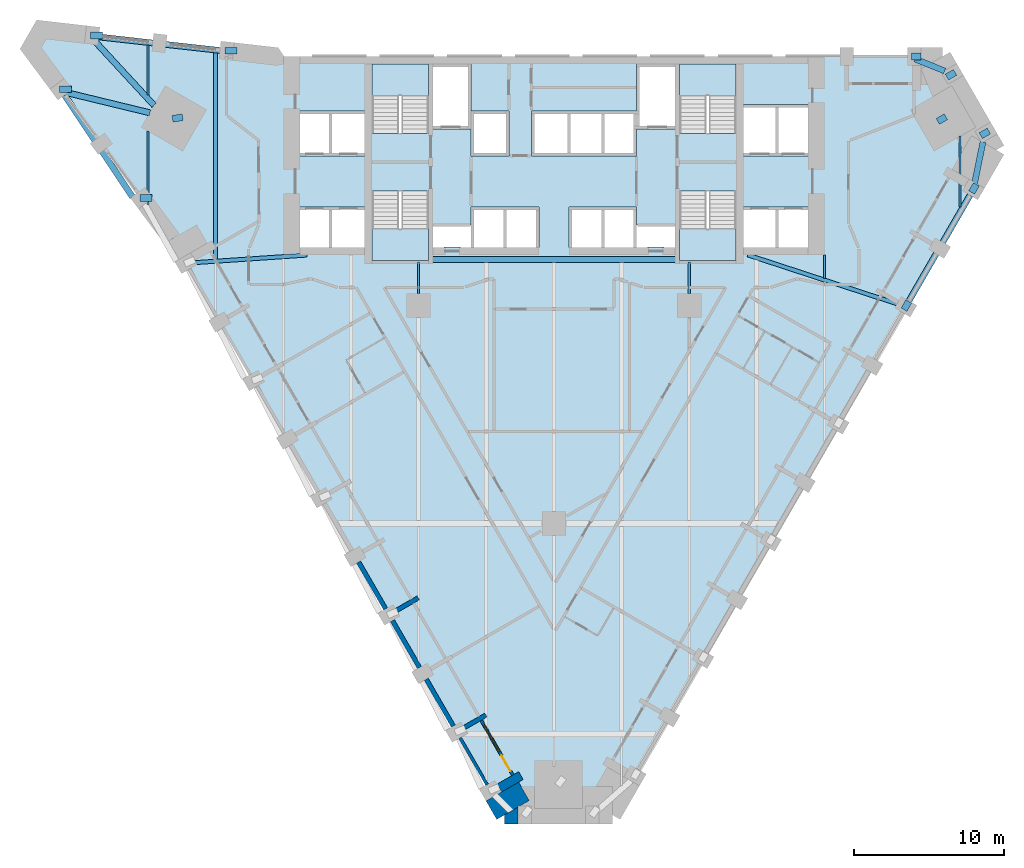
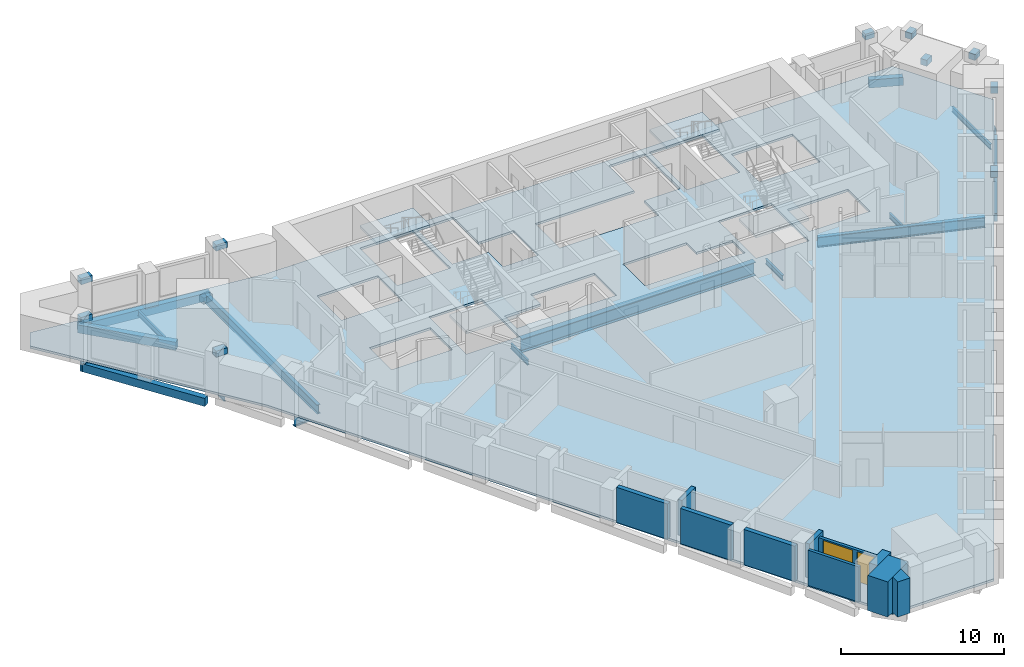
# One storey, part 2 of 10: 28 beams, 10 walls, 5 slabs, 1 door, 1 window, 2 openings, 4 elements without a shape of their own.
"""IFC4 building model written with IfcOpenShell, lengths in metres."""

from ifc_helpers import new_model, si_unit, direction, frame, frame_2d, origin, origin_2d, place, context, subcontext, project, spatial, polyline, rectangle, i_section, outline, extrude, material, layer, layer_set, material_profile, profile_set, type_object, element, fill, aggregate, save


model = new_model("IFC4")

# Units and contexts
model_context = context("Model", 3, precision=1e-05, world=origin(), true_north=direction((0.0, 1.0)))
body_context = subcontext(model_context, "Body", "Model", "MODEL_VIEW")
ifc_project = project(units=[si_unit("LENGTHUNIT", "METRE"), si_unit("AREAUNIT", "SQUARE_METRE"), si_unit("VOLUMEUNIT", "CUBIC_METRE"), si_unit("PLANEANGLEUNIT", "RADIAN"), si_unit("MASSUNIT", "GRAM", prefix="KILO")], contexts=[model_context])

# Site, building, storey
site_placement = place(None, origin())
site = spatial("IfcSite", under=ifc_project, at=site_placement, CompositionType="ELEMENT")
building_placement = place(site_placement, origin())
building = spatial("IfcBuilding", under=site, at=building_placement, Name="Calabash Gate Tower", CompositionType="ELEMENT")
storey_placement = place(building_placement, frame((0.0, 0.0, 63.0)))
storey = spatial("IfcBuildingStorey", under=building, at=storey_placement, Name="L11", CompositionType="ELEMENT", Elevation=63.0)

# Beams
ifc_material_1 = material(Name="Concrete C80/95", Category="concrete")
ifc_material_profile_1 = material_profile(ifc_material_1, rectangle(XDim=0.449951171875, YDim=0.449951171875, at=origin_2d()))
ifc_profile_set_1 = profile_set([ifc_material_profile_1], Name="Concrete C80/95")
beam_type_1 = type_object("IfcBeamType", Name="Column offset link RC 450x450 Concrete C80/95", PredefinedType="BEAM", material=ifc_profile_set_1)
beam_1_placement = place(storey_placement, frame((25.529052734375, 14.739013671875, 3.00390625), z_axis=(0.865797853931, 0.500393920955, 0.0), x_axis=(-0.500393920955, 0.865797853931, 0.0)))
element("IfcBeam", 1, at=beam_1_placement, inside=storey, type_object=beam_type_1, Name="Column offset link L11 NE", PredefinedType="BEAM", context=body_context, shape_type="SweptSolid", body=[
    extrude(rectangle(XDim=0.449951171875, YDim=0.449951171875, at=origin_2d()), origin(), (0.0, 0.0, 1.0), 0.62939453125),
])
beam_2_placement = place(storey_placement, frame((-25.37109375, 14.9208984375, 3.00390625), z_axis=(0.989798585067, 0.142473720382, 0.0), x_axis=(-0.142473720382, 0.989798585067, 0.0)))
element("IfcBeam", 2, at=beam_2_placement, inside=storey, type_object=beam_type_1, Name="Column offset link L11 NW", PredefinedType="BEAM", context=body_context, shape_type="SweptSolid", body=[
    extrude(rectangle(XDim=0.449951171875, YDim=0.449951171875, at=origin_2d()), origin(), (0.0, 0.0, 1.0), 0.681884765625),
])
beam_3_placement = place(storey_placement, frame((23.282958984375, 2.222900390625, 3.00390625), z_axis=(0.500225913189, 0.86589493345, 0.0), x_axis=(-0.86589493345, 0.500225913189, 0.0)))
element("IfcBeam", 3, at=beam_3_placement, inside=storey, type_object=beam_type_1, Name="Column offset link L11 P12", PredefinedType="BEAM", context=body_context, shape_type="SweptSolid", body=[
    extrude(rectangle(XDim=0.449951171875, YDim=0.449951171875, at=origin_2d()), origin(), (0.0, 0.0, 1.0), 0.629638671875),
])
beam_4_placement = place(storey_placement, frame((27.782958984375, 10.01708984375, 3.00390625), z_axis=(0.49972245349, 0.866185586049, 0.0), x_axis=(-0.866185586049, 0.49972245349, 0.0)))
element("IfcBeam", 4, at=beam_4_placement, inside=storey, type_object=beam_type_1, Name="Column offset link L11 P13", PredefinedType="BEAM", context=body_context, shape_type="SweptSolid", body=[
    extrude(rectangle(XDim=0.449951171875, YDim=0.449951171875, at=origin_2d()), origin(), (0.0, 0.0, 1.0), 0.630126953125),
])
for number, where, z_axis, x_axis, name in (
    (5, (28.387939453125, 13.7919921875, 3.00390625), (0.86589493345, 0.500225913189, 0.0), (-0.500225913189, 0.86589493345, 0.0), "Column offset link L11 P14"),
    (6, (26.137939453125, 17.68896484375, 3.00390625), (0.86589493345, 0.500225913189, 0.0), (-0.500225913189, 0.86589493345, 0.0), "Column offset link L11 P15"),
):
    element("IfcBeam", number, at=place(storey_placement, frame(where, z_axis=z_axis, x_axis=x_axis)), inside=storey, type_object=beam_type_1, Name=name, PredefinedType="BEAM", context=body_context, shape_type="SweptSolid", body=[
        extrude(rectangle(XDim=0.449951171875, YDim=0.449951171875, at=origin_2d()), origin(), (0.0, 0.0, 1.0), 0.629638671875),
    ])
beam_5_placement = place(storey_placement, frame((23.798095703125, 19.052978515625, 3.00390625), z_axis=(1.0, 0.0, 0.0), x_axis=(0.0, 1.0, 0.0)))
element("IfcBeam", 7, at=beam_5_placement, inside=storey, type_object=beam_type_1, Name="Column offset link L11 P16", PredefinedType="BEAM", context=body_context, shape_type="SweptSolid", body=[
    extrude(rectangle(XDim=0.449951171875, YDim=0.449951171875, at=origin_2d()), origin(), (0.0, 0.0, 1.0), 0.6298828125),
])
beam_6_placement = place(storey_placement, frame((-21.8701171875, 19.43798828125, 3.00390625), z_axis=(1.0, 0.0, 0.0), x_axis=(0.0, 1.0, 0.0)))
element("IfcBeam", 8, at=beam_6_placement, inside=storey, type_object=beam_type_1, Name="Column offset link L11 P17", PredefinedType="BEAM", context=body_context, shape_type="SweptSolid", body=[
    extrude(rectangle(XDim=0.449951171875, YDim=0.449951171875, at=origin_2d()), origin(), (0.0, 0.0, 1.0), 0.796142578125),
])
beam_7_placement = place(storey_placement, frame((-30.81201171875, 20.4619140625, 3.00390625), z_axis=(1.0, 0.0, 0.0), x_axis=(0.0, 1.0, 0.0)))
element("IfcBeam", 9, at=beam_7_placement, inside=storey, type_object=beam_type_1, Name="Column offset link L11 P18", PredefinedType="BEAM", context=body_context, shape_type="SweptSolid", body=[
    extrude(rectangle(XDim=0.449951171875, YDim=0.449951171875, at=origin_2d()), origin(), (0.0, 0.0, 1.0), 0.799072265625),
])
beam_8_placement = place(storey_placement, frame((-32.8779296875, 16.883056640625, 3.00390625), z_axis=(1.0, 0.0, 0.0), x_axis=(0.0, 1.0, 0.0)))
element("IfcBeam", 10, at=beam_8_placement, inside=storey, type_object=beam_type_1, Name="Column offset link L11 P19", PredefinedType="BEAM", context=body_context, shape_type="SweptSolid", body=[
    extrude(rectangle(XDim=0.449951171875, YDim=0.449951171875, at=origin_2d()), origin(), (0.0, 0.0, 1.0), 0.7958984375),
])
beam_9_placement = place(storey_placement, frame((-27.52099609375, 9.65087890625, 3.00390625), z_axis=(1.0, 0.0, 0.0), x_axis=(0.0, 1.0, 0.0)))
element("IfcBeam", 11, at=beam_9_placement, inside=storey, type_object=beam_type_1, Name="Column offset link L11 P20", PredefinedType="BEAM", context=body_context, shape_type="SweptSolid", body=[
    extrude(rectangle(XDim=0.449951171875, YDim=0.449951171875, at=origin_2d()), origin(), (0.0, 0.0, 1.0), 0.796875),
])
ifc_material_2 = material(Name="Concrete C60/75", Category="concrete")
ifc_material_profile_2 = material_profile(ifc_material_2, rectangle(XDim=0.39990234375, YDim=0.60009765625, at=origin_2d()))
ifc_profile_set_2 = profile_set([ifc_material_profile_2], Name="Concrete C60/75")
beam_type_2 = type_object("IfcBeamType", Name="Edge beam RC 400x600 Concrete C60/75", PredefinedType="BEAM", material=ifc_profile_set_2)
beam_10_placement = place(storey_placement, frame((23.468017578125, 2.54296875, -0.469970703125), z_axis=(0.499990825162, 0.866030700815, 0.0), x_axis=(-0.866030700815, 0.499990825162, 0.0)))
element("IfcBeam", 12, at=beam_10_placement, inside=storey, type_object=beam_type_2, Name="Edge beam L11 11", PredefinedType="BEAM", context=body_context, shape_type="SweptSolid", body=[
    extrude(rectangle(XDim=0.39990234375, YDim=0.60009765625, at=origin_2d()), origin(), (0.0, 0.0, 1.0), 8.426025390625),
])
beam_11_placement = place(storey_placement, frame((27.923095703125, 10.360107421875, -0.469970703125), z_axis=(0.199986412569, 0.979798670538, 0.0), x_axis=(-0.979798670538, 0.199986412569, 0.0)))
element("IfcBeam", 13, at=beam_11_placement, inside=storey, type_object=beam_type_2, Name="Edge beam L11 12", PredefinedType="BEAM", context=body_context, shape_type="SweptSolid", body=[
    extrude(rectangle(XDim=0.39990234375, YDim=0.60009765625, at=origin_2d()), origin(), (0.0, 0.0, 1.0), 3.080078125),
])
beam_12_placement = place(storey_placement, frame((25.992919921875, 18.095947265625, -0.469970703125), z_axis=(-0.927506403422, 0.373807265327, 0.0), x_axis=(-0.373807265327, -0.927506403422, 0.0)))
element("IfcBeam", 14, at=beam_12_placement, inside=storey, type_object=beam_type_2, Name="Edge beam L11 13", PredefinedType="BEAM", context=body_context, shape_type="SweptSolid", body=[
    extrude(rectangle(XDim=0.39990234375, YDim=0.60009765625, at=origin_2d()), origin(), (0.0, 0.0, 1.0), 2.1240234375),
])
beam_13_placement = place(storey_placement, frame((-22.200927734375, 19.466064453125, -0.469970703125), z_axis=(-0.993834530579, 0.11087346765, 0.0), x_axis=(-0.11087346765, -0.993834530579, 0.0)))
element("IfcBeam", 15, at=beam_13_placement, inside=storey, type_object=beam_type_2, Name="Edge beam L11 14", PredefinedType="BEAM", context=body_context, shape_type="SweptSolid", body=[
    extrude(rectangle(XDim=0.39990234375, YDim=0.60009765625, at=origin_2d()), origin(), (0.0, 0.0, 1.0), 8.730712890625),
])
beam_14_placement = place(storey_placement, frame((-30.8798828125, 20.449951171875, -0.469970703125), z_axis=(0.678509783503, -0.734591365107, 0.0), x_axis=(0.734591365107, 0.678509783503, 0.0)))
element("IfcBeam", 16, at=beam_14_placement, inside=storey, type_object=beam_type_2, Name="Edge beam L11 15", PredefinedType="BEAM", context=body_context, shape_type="SweptSolid", body=[
    extrude(rectangle(XDim=0.39990234375, YDim=0.60009765625, at=origin_2d()), origin(), (0.0, 0.0, 1.0), 6.312255859375),
])
beam_15_placement = place(storey_placement, frame((-26.87109375, 15.31396484375, -0.469970703125), z_axis=(-0.971786115096, 0.235863830432, 0.0), x_axis=(-0.235863830432, -0.971786115096, 0.0)))
element("IfcBeam", 17, at=beam_15_placement, inside=storey, type_object=beam_type_2, Name="Edge beam L11 16", PredefinedType="BEAM", context=body_context, shape_type="SweptSolid", body=[
    extrude(rectangle(XDim=0.39990234375, YDim=0.60009765625, at=origin_2d()), origin(), (0.0, 0.0, 1.0), 6.118408203125),
])
beam_16_placement = place(storey_placement, frame((-32.760009765625, 16.81103515625, -0.469970703125), z_axis=(0.554594365742, -0.832120838273, 0.0), x_axis=(0.832120838273, 0.554594365742, 0.0)))
element("IfcBeam", 18, at=beam_16_placement, inside=storey, type_object=beam_type_2, Name="Edge beam L11 17", PredefinedType="BEAM", context=body_context, shape_type="SweptSolid", body=[
    extrude(rectangle(XDim=0.39990234375, YDim=0.60009765625, at=origin_2d()), origin(), (0.0, 0.0, 1.0), 8.51806640625),
])
ifc_material_3 = material(Name="Steel ASTM A992 Gr50", Category="steel")
ifc_material_profile_3 = material_profile(ifc_material_3, i_section(OverallWidth=0.1396484375, OverallDepth=0.398681640625, WebThickness=0.00634765625, FlangeThickness=0.0087890625, FilletRadius=0.01025390625, at=origin_2d()))
ifc_profile_set_3 = profile_set([ifc_material_profile_3], Name="Steel ASTM A992 Gr50")
beam_type_3 = type_object("IfcBeamType", Name="Floor beam W16x26 ASTM A992 Gr50", PredefinedType="BEAM", material=ifc_profile_set_3)
beam_17_placement = place(storey_placement, frame((-27.0, 9.22900390625, -0.368896484375), z_axis=(0.0, 1.0, 0.0), x_axis=(-1.0, 0.0, 0.0)))
element("IfcBeam", 19, at=beam_17_placement, inside=storey, type_object=beam_type_3, Name="Floor beam L11 1", PredefinedType="BEAM", context=body_context, shape_type="SweptSolid", body=[
    extrude(i_section(OverallWidth=0.1396484375, OverallDepth=0.398681640625, WebThickness=0.00634765625, FlangeThickness=0.0087890625, FilletRadius=0.01025390625, at=origin_2d()), origin(), (0.0, 0.0, 1.0), 4.884033203125),
])
beam_18_placement = place(storey_placement, frame((-27.0, 16.511962890625, -0.368896484375), z_axis=(0.0, 1.0, 0.0), x_axis=(-1.0, 0.0, 0.0)))
element("IfcBeam", 20, at=beam_18_placement, inside=storey, type_object=beam_type_3, Name="Floor beam L11 2", PredefinedType="BEAM", context=body_context, shape_type="SweptSolid", body=[
    extrude(i_section(OverallWidth=0.1396484375, OverallDepth=0.398681640625, WebThickness=0.00634765625, FlangeThickness=0.0087890625, FilletRadius=0.01025390625, at=origin_2d()), origin(), (0.0, 0.0, 1.0), 3.31396484375),
])
for number, where, z_axis, x_axis, name in (
    (21, (-9.0, 3.300048828125, -0.368896484375), (0.0, 1.0, 0.0), (-1.0, 0.0, 0.0), "Floor beam L11 9"),
    (22, (9.0, 3.300048828125, -0.368896484375), (0.0, 1.0, 0.0), (-1.0, 0.0, 0.0), "Floor beam L11 21"),
):
    element("IfcBeam", number, at=place(storey_placement, frame(where, z_axis=z_axis, x_axis=x_axis)), inside=storey, type_object=beam_type_3, Name=name, PredefinedType="BEAM", context=body_context, shape_type="SweptSolid", body=[
        extrude(i_section(OverallWidth=0.1396484375, OverallDepth=0.398681640625, WebThickness=0.00634765625, FlangeThickness=0.0087890625, FilletRadius=0.01025390625, at=origin_2d()), origin(), (0.0, 0.0, 1.0), 2.10302734375),
    ])
beam_19_placement = place(storey_placement, frame((18.0, 4.30810546875, -0.368896484375), z_axis=(0.0, 1.0, 0.0), x_axis=(-1.0, 0.0, 0.0)))
element("IfcBeam", 23, at=beam_19_placement, inside=storey, type_object=beam_type_3, Name="Floor beam L11 25", PredefinedType="BEAM", context=body_context, shape_type="SweptSolid", body=[
    extrude(i_section(OverallWidth=0.1396484375, OverallDepth=0.398681640625, WebThickness=0.00634765625, FlangeThickness=0.0087890625, FilletRadius=0.01025390625, at=origin_2d()), origin(), (0.0, 0.0, 1.0), 1.544921875),
])
beam_20_placement = place(storey_placement, frame((27.0, 9.048095703125, -0.368896484375), z_axis=(0.0, 1.0, 0.0), x_axis=(-1.0, 0.0, 0.0)))
element("IfcBeam", 24, at=beam_20_placement, inside=storey, type_object=beam_type_3, Name="Floor beam L11 26", PredefinedType="BEAM", context=body_context, shape_type="SweptSolid", body=[
    extrude(i_section(OverallWidth=0.1396484375, OverallDepth=0.398681640625, WebThickness=0.00634765625, FlangeThickness=0.0087890625, FilletRadius=0.01025390625, at=origin_2d()), origin(), (0.0, 0.0, 1.0), 4.724853515625),
])
ifc_material_4 = material(Name="Steel ASTM A992 Gr50", Category="steel")
ifc_material_profile_4 = material_profile(ifc_material_4, i_section(OverallWidth=0.25390625, OverallDepth=0.67822265625, WebThickness=0.01171875, FlangeThickness=0.016357421875, FilletRadius=0.01513671875, at=origin_2d()))
ifc_profile_set_4 = profile_set([ifc_material_profile_4], Name="Steel ASTM A992 Gr50")
beam_type_4 = type_object("IfcBeamType", Name="Floor beam W27x84 ASTM A992 Gr50", PredefinedType="BEAM", material=ifc_profile_set_4)
beam_21_placement = place(storey_placement, frame((-22.5, 5.555908203125, -0.509033203125), z_axis=(0.0, 1.0, 0.0), x_axis=(-1.0, 0.0, 0.0)))
element("IfcBeam", 25, at=beam_21_placement, inside=storey, type_object=beam_type_4, Name="Floor beam L11 4", PredefinedType="BEAM", context=body_context, shape_type="SweptSolid", body=[
    extrude(i_section(OverallWidth=0.25390625, OverallDepth=0.67822265625, WebThickness=0.01171875, FlangeThickness=0.016357421875, FilletRadius=0.01513671875, at=origin_2d()), origin(), (0.0, 0.0, 1.0), 13.755126953125),
])
ifc_material_5 = material(Name="Steel ASTM A992 Gr50", Category="steel")
ifc_material_profile_5 = material_profile(ifc_material_5, i_section(OverallWidth=0.2666015625, OverallDepth=0.77978515625, WebThickness=0.0166015625, FlangeThickness=0.030029296875, FilletRadius=0.0166015625, at=origin_2d()))
ifc_profile_set_5 = profile_set([ifc_material_profile_5], Name="Steel ASTM A992 Gr50")
beam_type_5 = type_object("IfcBeamType", Name="Girder W30x148 ASTM A992 Gr50", PredefinedType="BEAM", material=ifc_profile_set_5)
beam_22_placement = place(storey_placement, frame((-24.39404296875, 5.31591796875, -0.56005859375), z_axis=(0.99772868043, 0.06736082131, 0.0), x_axis=(-0.06736082131, 0.99772868043, 0.0)))
element("IfcBeam", 26, at=beam_22_placement, inside=storey, type_object=beam_type_5, Name="Girder L11 2", PredefinedType="BEAM", context=body_context, shape_type="SweptSolid", body=[
    extrude(i_section(OverallWidth=0.2666015625, OverallDepth=0.77978515625, WebThickness=0.0166015625, FlangeThickness=0.030029296875, FilletRadius=0.0166015625, at=origin_2d()), origin(), (0.0, 0.0, 1.0), 7.988037109375),
])
beam_23_placement = place(storey_placement, frame((22.846923828125, 2.60400390625, -0.56005859375), z_axis=(-0.950413781129, 0.310988174436, 0.0), x_axis=(-0.310988174436, -0.950413781129, 0.0)))
element("IfcBeam", 27, at=beam_23_placement, inside=storey, type_object=beam_type_5, Name="Girder L11 3", PredefinedType="BEAM", context=body_context, shape_type="SweptSolid", body=[
    extrude(i_section(OverallWidth=0.2666015625, OverallDepth=0.77978515625, WebThickness=0.0166015625, FlangeThickness=0.030029296875, FilletRadius=0.0166015625, at=origin_2d()), origin(), (0.0, 0.0, 1.0), 10.4794921875),
])
ifc_material_6 = material(Name="Steel ASTM A992 Gr50", Category="steel")
ifc_material_profile_6 = material_profile(ifc_material_6, i_section(OverallWidth=0.4013671875, OverallDepth=1.000732421875, WebThickness=0.01904296875, FlangeThickness=0.0361328125, FilletRadius=0.030029296875, at=origin_2d()))
ifc_profile_set_6 = profile_set([ifc_material_profile_6], Name="Steel ASTM A992 Gr50")
beam_type_6 = type_object("IfcBeamType", Name="Girder W40x249 ASTM A992 Gr50", PredefinedType="BEAM", material=ifc_profile_set_6)
beam_24_placement = place(storey_placement, frame((-8.25, 5.552978515625, -0.669921875), z_axis=(1.0, 0.0, 0.0), x_axis=(0.0, 1.0, 0.0)))
element("IfcBeam", 28, at=beam_24_placement, inside=storey, type_object=beam_type_6, Name="Girder L11 1", PredefinedType="BEAM", context=body_context, shape_type="SweptSolid", body=[
    extrude(i_section(OverallWidth=0.4013671875, OverallDepth=1.000732421875, WebThickness=0.01904296875, FlangeThickness=0.0361328125, FilletRadius=0.030029296875, at=origin_2d()), origin(), (0.0, 0.0, 1.0), 16.5),
])

# Slab
ifc_material_7 = material(Name="Concrete C40/50", Category="concrete")
ifc_layer_1 = layer(ifc_material_7, 0.169921875)
ifc_layer_set_1 = layer_set([ifc_layer_1], Name="Composite floor slab 170 Concrete C40/50")
slab_type_1 = type_object("IfcSlabType", Name="Composite floor slab 170 Concrete C40/50", PredefinedType="FLOOR", material=ifc_layer_set_1)
slab_1_placement = place(storey_placement, frame((0.0, 0.0, -0.169921875)))
element("IfcSlab", 29, at=slab_1_placement, inside=storey, type_object=slab_type_1, Name="Floor slab L11", PredefinedType="FLOOR", context=body_context, shape_type="SweptSolid", body=[
    extrude(outline(polyline([(-25.4033203125, 6.92822265625), (-34.7958984375, 19.606201171875), (-34.0791015625, 20.84765625), (-18.4033203125, 19.052490234375), (25.831298828125, 19.052490234375), (29.41552734375, 12.84423828125), (3.8828125, -31.380126953125), (-3.2861328125, -31.380126953125), (-25.4033203125, 6.92822265625)]), holes=[polyline([(-5.5, 9.052490234375), (-5.5, 7.8525390625), (-8.050048828125, 7.8525390625), (-8.050048828125, 6.3525390625), (-7.324951171875, 6.3525390625), (-7.324951171875, 6.402587890625), (-6.22509765625, 6.402587890625), (-6.22509765625, 6.3525390625), (-5.5, 6.3525390625), (-3.25, 6.3525390625), (-1.0, 6.3525390625), (-1.0, 9.052490234375), (-3.25, 9.052490234375), (-5.5, 9.052490234375)]), polyline([(5.5, 9.052490234375), (3.25, 9.052490234375), (1.0, 9.052490234375), (1.0, 6.3525390625), (3.25, 6.3525390625), (5.5, 6.3525390625), (6.22509765625, 6.3525390625), (6.22509765625, 6.402587890625), (7.324951171875, 6.402587890625), (7.324951171875, 6.3525390625), (8.050048828125, 6.3525390625), (8.050048828125, 7.8525390625), (5.5, 7.8525390625), (5.5, 9.052490234375)]), polyline([(-5.5, 14.252685546875), (-5.5, 12.45263671875), (-3.0, 12.45263671875), (-3.0, 15.45263671875), (-5.5, 15.45263671875), (-5.5, 18.552490234375), (-8.050048828125, 18.552490234375), (-8.050048828125, 14.252685546875), (-5.5, 14.252685546875)]), polyline([(8.050048828125, 18.552490234375), (5.5, 18.552490234375), (5.5, 15.45263671875), (3.25, 15.45263671875), (1.0, 15.45263671875), (-1.5, 15.45263671875), (-1.5, 12.45263671875), (1.0, 12.45263671875), (3.25, 12.45263671875), (5.5, 12.45263671875), (5.5, 14.252685546875), (8.050048828125, 14.252685546875), (8.050048828125, 18.552490234375)]), polyline([(-12.60009765625, 6.3525390625), (-12.60009765625, 9.052490234375), (-14.85009765625, 9.052490234375), (-16.89990234375, 9.052490234375), (-16.89990234375, 6.3525390625), (-14.85009765625, 6.3525390625), (-12.60009765625, 6.3525390625)]), polyline([(-14.85009765625, 12.45263671875), (-12.60009765625, 12.45263671875), (-12.60009765625, 15.45263671875), (-14.85009765625, 15.45263671875), (-16.89990234375, 15.45263671875), (-16.89990234375, 12.45263671875), (-14.85009765625, 12.45263671875)]), polyline([(14.85009765625, 6.3525390625), (16.89990234375, 6.3525390625), (16.89990234375, 9.052490234375), (14.85009765625, 9.052490234375), (12.60009765625, 9.052490234375), (12.60009765625, 6.3525390625), (14.85009765625, 6.3525390625)]), polyline([(14.85009765625, 12.45263671875), (16.89990234375, 12.45263671875), (16.89990234375, 15.8525390625), (14.85009765625, 15.8525390625), (12.60009765625, 15.8525390625), (12.60009765625, 12.45263671875), (14.85009765625, 12.45263671875)]), polyline([(-8.35009765625, 18.552490234375), (-12.10009765625, 18.552490234375), (-12.10009765625, 13.95263671875), (-8.35009765625, 13.95263671875), (-8.35009765625, 18.552490234375)]), polyline([(-12.10009765625, 10.1025390625), (-12.10009765625, 5.502685546875), (-8.35009765625, 5.502685546875), (-8.35009765625, 10.1025390625), (-12.10009765625, 10.1025390625)]), polyline([(8.35009765625, 13.95263671875), (12.10009765625, 13.95263671875), (12.10009765625, 18.552490234375), (8.35009765625, 18.552490234375), (8.35009765625, 13.95263671875)]), polyline([(12.10009765625, 5.502685546875), (12.10009765625, 10.1025390625), (8.35009765625, 10.1025390625), (8.35009765625, 5.502685546875), (12.10009765625, 5.502685546875)])]), origin(), (0.0, 0.0, 1.0), 0.169921875),
])

# Stair, slab
ifc_material_8 = material(Name="Concrete C40/50", Category="concrete")
stair_type = type_object("IfcStairType", Name="Exit stair 20 risers of 170 mm", PredefinedType="HALF_TURN_STAIR", material=ifc_material_8)
stair_1_placement = place(storey_placement, origin())
stair_1 = element("IfcStair", 30, at=stair_1_placement, inside=storey, type_object=stair_type, Name="L11 Exit stair ST1", PredefinedType="HALF_TURN_STAIR")
ifc_material_9 = material(Name="Concrete C40/50", Category="concrete")
ifc_layer_2 = layer(ifc_material_9, 0.199951171875)
ifc_layer_set_2 = layer_set([ifc_layer_2], Name="Stair landing SL200")
slab_type_2 = type_object("IfcSlabType", Name="Stair landing SL200", PredefinedType="LANDING", material=ifc_layer_set_2)
slab_2_placement = place(storey_placement, frame((0.0, 0.0, 1.5)))
slab_2 = element("IfcSlab", 31, at=slab_2_placement, type_object=slab_type_2, Name="ST1 landing 1", PredefinedType="LANDING", context=body_context, shape_type="SweptSolid", body=[
    extrude(outline(polyline([(-8.35009765625, 16.463623046875), (-8.35009765625, 18.552490234375), (-12.10009765625, 18.552490234375), (-12.10009765625, 16.463623046875), (-8.35009765625, 16.463623046875)])), origin(), (0.0, 0.0, 1.0), 0.199951171875),
])
aggregate(stair_1, [slab_2])

stair_2_placement = place(storey_placement, origin())
stair_2 = element("IfcStair", 32, at=stair_2_placement, inside=storey, type_object=stair_type, Name="L11 Exit stair ST2", PredefinedType="HALF_TURN_STAIR")
slab_3_placement = place(storey_placement, frame((0.0, 0.0, 1.5)))
slab_3 = element("IfcSlab", 33, at=slab_3_placement, type_object=slab_type_2, Name="ST2 landing 1", PredefinedType="LANDING", context=body_context, shape_type="SweptSolid", body=[
    extrude(outline(polyline([(-12.10009765625, 7.591552734375), (-12.10009765625, 5.502685546875), (-8.35009765625, 5.502685546875), (-8.35009765625, 7.591552734375), (-12.10009765625, 7.591552734375)])), origin(), (0.0, 0.0, 1.0), 0.199951171875),
])
aggregate(stair_2, [slab_3])

stair_3_placement = place(storey_placement, origin())
stair_3 = element("IfcStair", 34, at=stair_3_placement, inside=storey, type_object=stair_type, Name="L11 Exit stair ST3", PredefinedType="HALF_TURN_STAIR")
slab_4_placement = place(storey_placement, frame((0.0, 0.0, 1.5)))
slab_4 = element("IfcSlab", 35, at=slab_4_placement, type_object=slab_type_2, Name="ST3 landing 1", PredefinedType="LANDING", context=body_context, shape_type="SweptSolid", body=[
    extrude(outline(polyline([(12.10009765625, 16.463623046875), (12.10009765625, 18.552490234375), (8.35009765625, 18.552490234375), (8.35009765625, 16.463623046875), (12.10009765625, 16.463623046875)])), origin(), (0.0, 0.0, 1.0), 0.199951171875),
])
aggregate(stair_3, [slab_4])

stair_4_placement = place(storey_placement, origin())
stair_4 = element("IfcStair", 36, at=stair_4_placement, inside=storey, type_object=stair_type, Name="L11 Exit stair ST4", PredefinedType="HALF_TURN_STAIR")
slab_5_placement = place(storey_placement, frame((0.0, 0.0, 1.5)))
slab_5 = element("IfcSlab", 37, at=slab_5_placement, type_object=slab_type_2, Name="ST4 landing 1", PredefinedType="LANDING", context=body_context, shape_type="SweptSolid", body=[
    extrude(outline(polyline([(8.35009765625, 7.591552734375), (8.35009765625, 5.502685546875), (12.10009765625, 5.502685546875), (12.10009765625, 7.591552734375), (8.35009765625, 7.591552734375)])), origin(), (0.0, 0.0, 1.0), 0.199951171875),
])
aggregate(stair_4, [slab_5])

# Walls
ifc_material_10 = material(Name="Terracotta brick masonry, exposed face", Category="masonry")
ifc_layer_3 = layer(ifc_material_10, 2.5)
ifc_layer_set_3 = layer_set([ifc_layer_3], Name="Brick corner mass wall 2500")
wall_type_1 = type_object("IfcWallType", Name="Brick corner mass wall 2500", PredefinedType="SOLIDWALL", material=ifc_layer_set_3)
wall_1_placement = place(storey_placement, frame((-1.994873046875, -29.81640625, 0.0), z_axis=(0.0, 0.0, 1.0), x_axis=(-0.866022959057, -0.500004234368, 0.0)))
element("IfcWall", 38, at=wall_1_placement, inside=storey, type_object=wall_type_1, Name="Brick corner pier S02 2a", PredefinedType="SOLIDWALL", context=body_context, shape_type="SweptSolid", body=[
    extrude(rectangle(XDim=2.5, YDim=1.417236328125, at=frame_2d((1.25, 0.0))), origin(), (0.0, 0.0, 1.0), 2.6298828125),
])
wall_2_placement = place(storey_placement, origin())
element("IfcWall", 39, at=wall_2_placement, inside=storey, type_object=wall_type_1, Name="Brick corner pier S02 2ba", PredefinedType="SOLIDWALL", context=body_context, shape_type="SweptSolid", body=[
    extrude(outline(polyline([(-3.2861328125, -31.380126953125), (-3.2861328125, -31.97998046875), (-2.402099609375, -31.97998046875), (-2.402099609375, -30.86962890625), (-3.2861328125, -31.380126953125)])), origin(), (0.0, 0.0, 1.0), 2.6298828125),
])
ifc_material_11 = material(Name="Terracotta brick masonry, exposed face", Category="masonry")
ifc_layer_4 = layer(ifc_material_11, 0.300048828125)
ifc_layer_set_4 = layer_set([ifc_layer_4], Name="Brick infill panel wall 300")
wall_type_2 = type_object("IfcWallType", Name="Brick infill panel wall 300", PredefinedType="SOLIDWALL", material=ifc_layer_set_4)
for number, where, z_axis, x_axis, name in (
    (40, (-12.99462890625, -14.564208984375, 0.0), (0.0, 0.0, 1.0), (0.499961193289, -0.866047807691, 0.0), "Brick panel S02 SW0.6"),
    (41, (-10.74462890625, -18.46142578125, 0.0), (0.0, 0.0, 1.0), (0.499961193289, -0.866047807691, 0.0), "Brick panel S02 SW0.7"),
    (42, (-8.49462890625, -22.3583984375, 0.0), (0.0, 0.0, 1.0), (0.499961193289, -0.866047807691, 0.0), "Brick panel S02 SW0.8"),
):
    element("IfcWall", number, at=place(storey_placement, frame(where, z_axis=z_axis, x_axis=x_axis)), inside=storey, type_object=wall_type_2, Name=name, PredefinedType="SOLIDWALL", context=body_context, shape_type="SweptSolid", body=[
        extrude(rectangle(XDim=3.599853515625, YDim=0.300048828125, at=frame_2d((1.7998046875, 0.0))), origin(), (0.0, 0.0, 1.0), 2.6298828125),
    ])
ifc_material_12 = material(Name="Terracotta brick masonry, exposed face", Category="masonry")
ifc_layer_5 = layer(ifc_material_12, 0.300048828125)
ifc_layer_set_5 = layer_set([ifc_layer_5], Name="Brick loggia cheek wall 300")
wall_type_3 = type_object("IfcWallType", Name="Brick loggia cheek wall 300", PredefinedType="SOLIDWALL", material=ifc_layer_set_5)
wall_3_placement = place(storey_placement, frame((-9.021240234375, -16.946533203125, 0.0), z_axis=(0.0, 0.0, 1.0), x_axis=(-0.866040211805, -0.499974350878, 0.0)))
element("IfcWall", 43, at=wall_3_placement, inside=storey, type_object=wall_type_3, Name="Loggia cheek S02 SW0.6", PredefinedType="SOLIDWALL", context=body_context, shape_type="SweptSolid", body=[
    extrude(rectangle(XDim=1.64990234375, YDim=0.300048828125, at=frame_2d((0.824951171875, 0.0))), origin(), (0.0, 0.0, 1.0), 2.64990234375),
])
wall_4_placement = place(storey_placement, frame((-4.521240234375, -24.74072265625, 0.0), z_axis=(0.0, 0.0, 1.0), x_axis=(-0.865976140824, -0.500085316245, 0.0)))
element("IfcWall", 44, at=wall_4_placement, inside=storey, type_object=wall_type_3, Name="Loggia cheek S02 SW0.8", PredefinedType="SOLIDWALL", context=body_context, shape_type="SweptSolid", body=[
    extrude(rectangle(XDim=1.650146484375, YDim=0.300048828125, at=frame_2d((0.8251953125, 0.0))), origin(), (0.0, 0.0, 1.0), 2.552001953125),
])
wall_5_placement = place(storey_placement, frame((-3.625, -29.5927734375, 0.0), z_axis=(0.0, 0.0, 1.0), x_axis=(0.866040211805, 0.499974350878, 0.0)))
element("IfcWall", 45, at=wall_5_placement, inside=storey, type_object=wall_type_3, Name="Loggia cheek S02 SW0.9", PredefinedType="SOLIDWALL", context=body_context, shape_type="SweptSolid", body=[
    extrude(rectangle(XDim=1.64990234375, YDim=0.60009765625, at=frame_2d((0.824951171875, 0.0))), origin(), (0.0, 0.0, 1.0), 2.6298828125),
])
ifc_material_13 = material(Name="Terracotta brick masonry, perforated", Category="masonry")
ifc_layer_6 = layer(ifc_material_13, 0.199951171875)
ifc_layer_set_6 = layer_set([ifc_layer_6], Name="Terracotta jaali screen B")
wall_type_4 = type_object("IfcWallType", Name="Terracotta jaali screen B", PredefinedType="SOLIDWALL", material=ifc_layer_set_6)
wall_6_placement = place(storey_placement, frame((-6.24462890625, -26.255615234375, 0.0), z_axis=(0.0, 0.0, 1.0), x_axis=(0.499961193289, -0.866047807691, 0.0)))
element("IfcWall", 46, at=wall_6_placement, inside=storey, type_object=wall_type_4, Name="SCREEN B S02 SW0.9", PredefinedType="SOLIDWALL", context=body_context, shape_type="SweptSolid", body=[
    extrude(rectangle(XDim=3.599853515625, YDim=0.199951171875, at=frame_2d((1.7998046875, 0.0))), origin(), (0.0, 0.0, 1.0), 2.6298828125),
])

# Wall, openings, door, window
ifc_material_14 = material(Name="Aluminium framed window wall with insulated spandrel", Category="aluminium")
ifc_layer_7 = layer(ifc_material_14, 0.199951171875)
ifc_layer_set_7 = layer_set([ifc_layer_7], Name="Window wall 200")
wall_type_5 = type_object("IfcWallType", Name="Window wall 200", PredefinedType="ELEMENTEDWALL", material=ifc_layer_set_7)
wall_7_placement = place(storey_placement, frame((-4.8359375, -25.095703125, 0.0), z_axis=(0.0, 0.0, 1.0), x_axis=(0.500002543286, -0.866023935413, 0.0)))
wall_7 = element("IfcWall", 47, at=wall_7_placement, inside=storey, type_object=wall_type_5, Name="Window wall S02 SW0.9", PredefinedType="ELEMENTEDWALL", context=body_context, shape_type="SweptSolid", body=[
    extrude(rectangle(XDim=4.2001953125, YDim=0.199951171875, at=frame_2d((2.10009765625, 0.0))), origin(), (0.0, 0.0, 1.0), 2.3740234375),
])
opening_1_placement = place(wall_7_placement, frame((0.300048828125, 0.0, 0.60009765625)))
opening_1 = element("IfcOpeningElement", 48, at=opening_1_placement, cuts=wall_7, Name="Opening HW1L-1670", PredefinedType="OPENING", context=body_context, shape_type="SweptSolid", body=[
    extrude(rectangle(XDim=2.10009765625, YDim=1.669921875, at=frame_2d((1.050048828125, 0.8349609375))), frame((0.0, 0.10986328125, 0.0), z_axis=(0.0, -1.0, 0.0), x_axis=(1.0, 0.0, 0.0)), (0.0, 0.0, 1.0), 0.219970703125),
])
opening_2_placement = place(wall_7_placement, frame((2.699951171875, 0.0, 0.0)))
opening_2 = element("IfcOpeningElement", 49, at=opening_2_placement, cuts=wall_7, Name="Opening H2-026", PredefinedType="OPENING", context=body_context, shape_type="SweptSolid", body=[
    extrude(rectangle(XDim=1.199951171875, YDim=2.27001953125, at=frame_2d((0.60009765625, 1.135009765625))), frame((0.0, 0.10986328125, 0.0), z_axis=(0.0, -1.0, 0.0), x_axis=(1.0, 0.0, 0.0)), (0.0, 0.0, 1.0), 0.219970703125),
])
ifc_material_15 = material(Name="Anodised aluminium frame, bronze finish, impact-rated laminated clear glazing", Category="aluminium")
door_type = type_object("IfcDoorType", Name="Loggia door DH1L-2270 1200x2270", OperationType="SLIDING_TO_LEFT", PredefinedType="DOOR", material=ifc_material_15)
door_placement = place(opening_2_placement, origin())
door = element("IfcDoor", 50, at=door_placement, inside=storey, type_object=door_type, Name="Loggia door S02 SW0.9", OperationType="SINGLE_SWING_LEFT", OverallHeight=2.27001953125, OverallWidth=1.199951171875, PredefinedType="DOOR", context=body_context, shape_type="SweptSolid", body=[
    extrude(rectangle(XDim=1.199951171875, YDim=2.27001953125, at=frame_2d((0.60009765625, 1.135009765625))), frame((0.0, 0.02490234375, 0.0), z_axis=(0.0, -1.0, 0.0), x_axis=(1.0, 0.0, 0.0)), (0.0, 0.0, 1.0), 0.050048828125),
])
fill(opening_2, door)
ifc_material_16 = material(Name="Anodised aluminium frame, bronze finish, impact-rated laminated clear glazing", Category="aluminium")
window_type = type_object("IfcWindowType", Name="Window HW1L 2100x1670", PartitioningType="DOUBLE_PANEL_VERTICAL", PredefinedType="WINDOW", material=ifc_material_16)
window_placement = place(opening_1_placement, origin())
window = element("IfcWindow", 51, at=window_placement, inside=storey, type_object=window_type, Name="Window HW1 S02 SW0.9", OverallHeight=1.669921875, OverallWidth=2.10009765625, PartitioningType="SINGLE_PANEL", PredefinedType="WINDOW", context=body_context, shape_type="SweptSolid", body=[
    extrude(rectangle(XDim=2.10009765625, YDim=1.669921875, at=frame_2d((1.050048828125, 0.8349609375))), frame((0.0, 0.030029296875, 0.0), z_axis=(0.0, -1.0, 0.0), x_axis=(1.0, 0.0, 0.0)), (0.0, 0.0, 1.0), 0.06005859375),
])
fill(opening_1, window)

save(model, "model.ifc")
